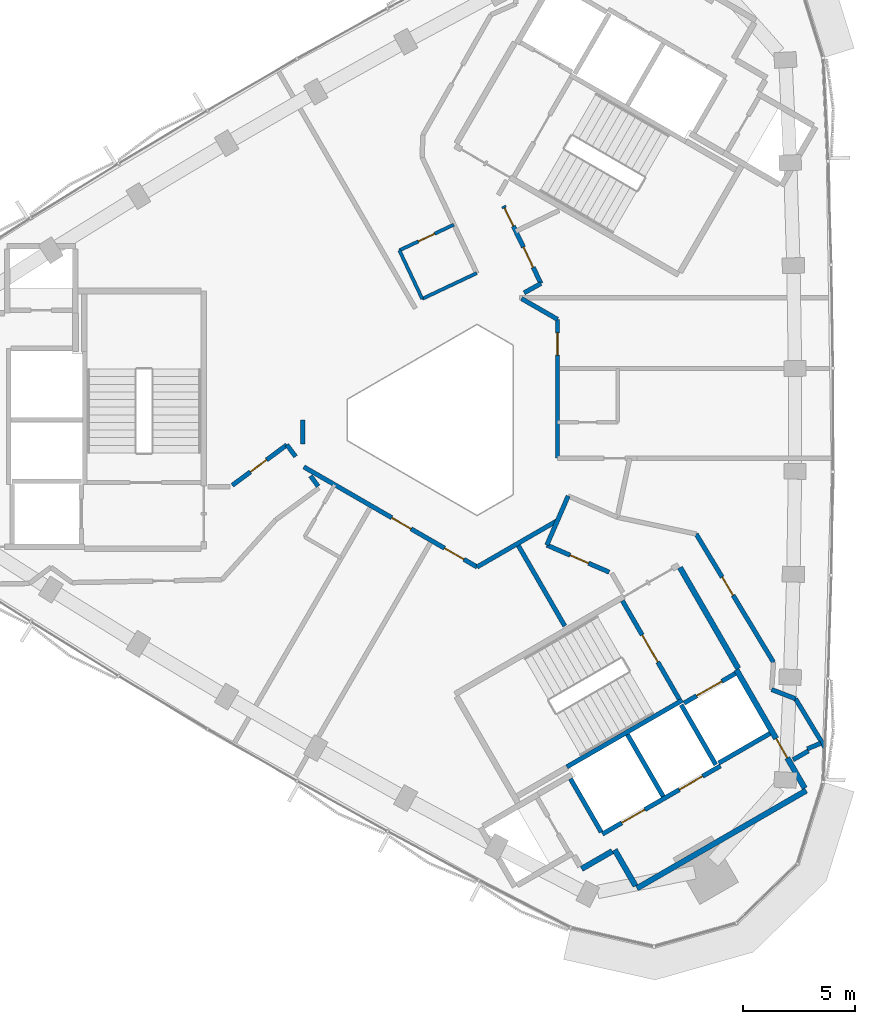
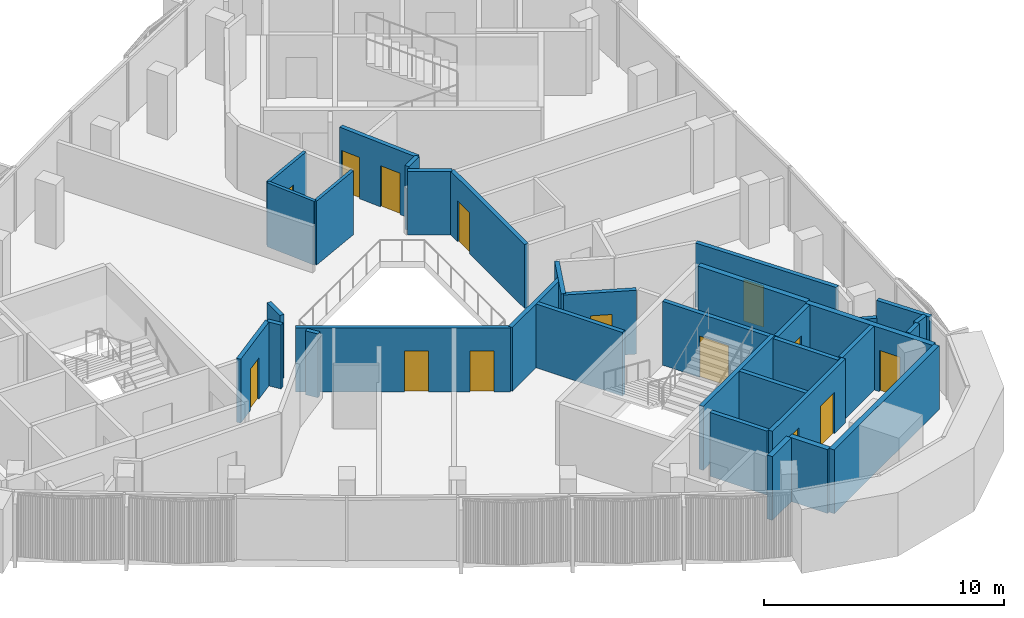
# One storey, part 7 of 12: 34 walls, 14 doors, 14 openings.
"""IFC4 building model written with IfcOpenShell, lengths in metres."""

from ifc_helpers import new_model, si_unit, direction, frame, frame_2d, origin, place, context, subcontext, project, spatial, rectangle, extrude, material, layer, layer_set, type_object, element, fill, save


model = new_model("IFC4")

# Units and contexts
model_context = context("Model", 3, precision=1e-05, world=origin(), true_north=direction((0.0, 1.0)))
body_context = subcontext(model_context, "Body", "Model", "MODEL_VIEW")
ifc_project = project(units=[si_unit("LENGTHUNIT", "METRE"), si_unit("AREAUNIT", "SQUARE_METRE"), si_unit("VOLUMEUNIT", "CUBIC_METRE"), si_unit("PLANEANGLEUNIT", "RADIAN"), si_unit("MASSUNIT", "GRAM", prefix="KILO")], contexts=[model_context])

# Site, building, storey
site_placement = place(None, origin())
site = spatial("IfcSite", under=ifc_project, at=site_placement, CompositionType="ELEMENT")
building_placement = place(site_placement, origin())
building = spatial("IfcBuilding", under=site, at=building_placement, Name="Tamra Quay Hotel Tower", CompositionType="ELEMENT")
storey_placement = place(building_placement, frame((0.0, 0.0, 269.39990234375)))
storey = spatial("IfcBuildingStorey", under=building, at=storey_placement, Name="L68", CompositionType="ELEMENT", Elevation=269.39990234375)

# Wall
ifc_material_1 = material(Name="Concrete M70", Category="concrete")
ifc_layer_1 = layer(ifc_material_1, 0.199951171875)
ifc_layer_set_1 = layer_set([ifc_layer_1], Name="Concrete M70 core wall 200")
wall_type_1 = type_object("IfcWallType", Name="Concrete M70 core wall 200", PredefinedType="SHEAR", material=ifc_layer_set_1)
wall_1_placement = place(storey_placement, frame((5.4189453125, -15.533935546875, 0.0), z_axis=(0.0, 0.0, 1.0), x_axis=(0.866029065029, 0.499993658486, 0.0)))
element("IfcWall", 1, at=wall_1_placement, inside=storey, type_object=wall_type_1, Name="CW2", PredefinedType="SHEAR", context=body_context, shape_type="SweptSolid", body=[
    extrude(rectangle(XDim=5.97412109375, YDim=0.199951171875, at=frame_2d((2.987060546875, 0.0))), origin(), (0.0, 0.0, 1.0), 3.25),
])

# Wall, openings, doors
wall_2_placement = place(storey_placement, frame((7.009765625, -18.54150390625, 0.0), z_axis=(0.0, 0.0, 1.0), x_axis=(0.866030299012, 0.499991521122, 0.0)))
wall_2 = element("IfcWall", 2, at=wall_2_placement, inside=storey, type_object=wall_type_1, Name="CW2", PredefinedType="SHEAR", context=body_context, shape_type="SweptSolid", body=[
    extrude(rectangle(XDim=6.10009765625, YDim=0.199951171875, at=frame_2d((3.050048828125, 0.0))), origin(), (0.0, 0.0, 1.0), 3.25),
])
opening_1_placement = place(wall_2_placement, frame((1.0, 0.0, 0.0)))
opening_1 = element("IfcOpeningElement", 3, at=opening_1_placement, cuts=wall_2, Name="Opening LD", PredefinedType="OPENING", context=body_context, shape_type="SweptSolid", body=[
    extrude(rectangle(XDim=1.199951171875, YDim=2.10009765625, at=frame_2d((0.60009765625, 1.050048828125))), frame((0.0, 0.10986328125, 0.0), z_axis=(0.0, -1.0, 0.0), x_axis=(1.0, 0.0, 0.0)), (0.0, 0.0, 1.0), 0.219970703125),
])
opening_2_placement = place(wall_2_placement, frame((3.982177734375, 0.0, 0.0)))
opening_2 = element("IfcOpeningElement", 4, at=opening_2_placement, cuts=wall_2, Name="Opening LD", PredefinedType="OPENING", context=body_context, shape_type="SweptSolid", body=[
    extrude(rectangle(XDim=1.199951171875, YDim=2.10009765625, at=frame_2d((0.60009765625, 1.050048828125))), frame((0.0, 0.10986328125, 0.0), z_axis=(0.0, -1.0, 0.0), x_axis=(1.0, 0.0, 0.0)), (0.0, 0.0, 1.0), 0.219970703125),
])
ifc_material_2 = material(Name="Landing door LD 1200 double door sliding")
door_type_1 = type_object("IfcDoorType", Name="Landing door LD 1200 double door sliding", OperationType="DOUBLE_DOOR_SLIDING", PredefinedType="DOOR", material=ifc_material_2)
door_1_placement = place(opening_1_placement, origin())
door_1 = element("IfcDoor", 5, at=door_1_placement, inside=storey, type_object=door_type_1, Name="LD", OperationType="DOUBLE_DOOR_SLIDING", OverallHeight=2.10009765625, OverallWidth=1.199951171875, PredefinedType="DOOR", context=body_context, shape_type="SweptSolid", body=[
    extrude(rectangle(XDim=1.199951171875, YDim=2.10009765625, at=frame_2d((0.60009765625, 1.050048828125))), frame((0.0, 0.02490234375, 0.0), z_axis=(0.0, -1.0, 0.0), x_axis=(1.0, 0.0, 0.0)), (0.0, 0.0, 1.0), 0.050048828125),
])
fill(opening_1, door_1)
door_2_placement = place(opening_2_placement, origin())
door_2 = element("IfcDoor", 6, at=door_2_placement, inside=storey, type_object=door_type_1, Name="LD", OperationType="DOUBLE_DOOR_SLIDING", OverallHeight=2.10009765625, OverallWidth=1.199951171875, PredefinedType="DOOR", context=body_context, shape_type="SweptSolid", body=[
    extrude(rectangle(XDim=1.199951171875, YDim=2.10009765625, at=frame_2d((0.60009765625, 1.050048828125))), frame((0.0, 0.02490234375, 0.0), z_axis=(0.0, -1.0, 0.0), x_axis=(1.0, 0.0, 0.0)), (0.0, 0.0, 1.0), 0.050048828125),
])
fill(opening_2, door_2)

# Wall, opening, door
wall_3_placement = place(storey_placement, frame((7.906494140625, -8.094482421875, 0.0), z_axis=(0.0, 0.0, 1.0), x_axis=(0.500027839223, -0.866009330205, 0.0)))
wall_3 = element("IfcWall", 7, at=wall_3_placement, inside=storey, type_object=wall_type_1, Name="CW2", PredefinedType="SHEAR", context=body_context, shape_type="SweptSolid", body=[
    extrude(rectangle(XDim=5.097900390625, YDim=0.199951171875, at=frame_2d((2.548828125, 0.0))), origin(), (0.0, 0.0, 1.0), 3.25),
])
opening_3_placement = place(wall_3_placement, frame((1.77392578125, 0.0, 0.0)))
opening_3 = element("IfcOpeningElement", 8, at=opening_3_placement, cuts=wall_3, Name="Opening FD2", PredefinedType="OPENING", context=body_context, shape_type="SweptSolid", body=[
    extrude(rectangle(XDim=1.39990234375, YDim=2.10009765625, at=frame_2d((0.699951171875, 1.050048828125))), frame((0.0, 0.10986328125, 0.0), z_axis=(0.0, -1.0, 0.0), x_axis=(1.0, 0.0, 0.0)), (0.0, 0.0, 1.0), 0.219970703125),
])
ifc_material_3 = material(Name="Core door FD2 1400x2100 RH")
door_type_2 = type_object("IfcDoorType", Name="Core door FD2 1400x2100 RH", OperationType="NOTDEFINED", PredefinedType="DOOR", material=ifc_material_3)
door_3_placement = place(opening_3_placement, origin())
door_3 = element("IfcDoor", 9, at=door_3_placement, inside=storey, type_object=door_type_2, Name="FD2", OperationType="SINGLE_SWING_RIGHT", OverallHeight=2.10009765625, OverallWidth=1.39990234375, PredefinedType="DOOR", context=body_context, shape_type="SweptSolid", body=[
    extrude(rectangle(XDim=1.39990234375, YDim=2.10009765625, at=frame_2d((0.699951171875, 1.050048828125))), frame((0.0, 0.02490234375, 0.0), z_axis=(0.0, -1.0, 0.0), x_axis=(1.0, 0.0, 0.0)), (0.0, 0.0, 1.0), 0.050048828125),
])
fill(opening_3, door_3)

# Walls
wall_4_placement = place(storey_placement, frame((8.131591796875, -14.084228515625, 0.0), z_axis=(0.0, 0.0, 1.0), x_axis=(0.499997778408, -0.866026686418, 0.0)))
element("IfcWall", 10, at=wall_4_placement, inside=storey, type_object=wall_type_1, Name="CW2", PredefinedType="SHEAR", context=body_context, shape_type="SweptSolid", body=[
    extrude(rectangle(XDim=3.1982421875, YDim=0.199951171875, at=frame_2d((1.59912109375, 0.0))), origin(), (0.0, 0.0, 1.0), 3.25),
])
wall_5_placement = place(storey_placement, frame((6.959716796875, -18.455078125, 0.0), z_axis=(0.0, 0.0, 1.0), x_axis=(-0.499926705758, 0.866067716099, 0.0)))
element("IfcWall", 11, at=wall_5_placement, inside=storey, type_object=wall_type_1, Name="CW2", PredefinedType="SHEAR", context=body_context, shape_type="SweptSolid", body=[
    extrude(rectangle(XDim=2.75927734375, YDim=0.199951171875, at=frame_2d((1.379638671875, 0.0))), origin(), (0.0, 0.0, 1.0), 3.25),
])
wall_6_placement = place(storey_placement, frame((12.087646484375, -15.4365234375, 0.0), z_axis=(0.0, 0.0, 1.0), x_axis=(-0.500026960575, 0.86600983753, 0.0)))
element("IfcWall", 12, at=wall_6_placement, inside=storey, type_object=wall_type_1, Name="CW2", PredefinedType="SHEAR", context=body_context, shape_type="SweptSolid", body=[
    extrude(rectangle(XDim=3.099853515625, YDim=0.199951171875, at=frame_2d((1.5498046875, 0.0))), origin(), (0.0, 0.0, 1.0), 3.25),
])

# Wall, opening, door
wall_7_placement = place(storey_placement, frame((10.666015625, -12.677734375, 0.0), z_axis=(0.0, 0.0, 1.0), x_axis=(0.866018407898, 0.500012117035, 0.0)))
wall_7 = element("IfcWall", 13, at=wall_7_placement, inside=storey, type_object=wall_type_1, Name="CW2", PredefinedType="SHEAR", context=body_context, shape_type="SweptSolid", body=[
    extrude(rectangle(XDim=2.65087890625, YDim=0.199951171875, at=frame_2d((1.325439453125, 0.0))), origin(), (0.0, 0.0, 1.0), 3.25),
])
opening_4_placement = place(wall_7_placement, frame((0.65185546875, 0.0, 0.0)))
opening_4 = element("IfcOpeningElement", 14, at=opening_4_placement, cuts=wall_7, Name="Opening LD", PredefinedType="OPENING", context=body_context, shape_type="SweptSolid", body=[
    extrude(rectangle(XDim=1.300048828125, YDim=2.10009765625, at=frame_2d((0.64990234375, 1.050048828125))), frame((0.0, 0.10986328125, 0.0), z_axis=(0.0, -1.0, 0.0), x_axis=(1.0, 0.0, 0.0)), (0.0, 0.0, 1.0), 0.219970703125),
])
ifc_material_4 = material(Name="Landing door LD 1300 sliding to right")
door_type_3 = type_object("IfcDoorType", Name="Landing door LD 1300 sliding to right", OperationType="NOTDEFINED", PredefinedType="DOOR", material=ifc_material_4)
door_4_placement = place(opening_4_placement, origin())
door_4 = element("IfcDoor", 15, at=door_4_placement, inside=storey, type_object=door_type_3, Name="LD", OperationType="SLIDING_TO_RIGHT", OverallHeight=2.10009765625, OverallWidth=1.300048828125, PredefinedType="DOOR", context=body_context, shape_type="SweptSolid", body=[
    extrude(rectangle(XDim=1.300048828125, YDim=2.10009765625, at=frame_2d((0.64990234375, 1.050048828125))), frame((0.0, 0.02490234375, 0.0), z_axis=(0.0, -1.0, 0.0), x_axis=(1.0, 0.0, 0.0)), (0.0, 0.0, 1.0), 0.050048828125),
])
fill(opening_4, door_4)

# Walls
wall_8_placement = place(storey_placement, frame((14.51171875, -14.037109375, 0.0), z_axis=(0.0, 0.0, 1.0), x_axis=(-0.866018407898, -0.500012117035, 0.0)))
element("IfcWall", 16, at=wall_8_placement, inside=storey, type_object=wall_type_1, Name="CW2", PredefinedType="SHEAR", context=body_context, shape_type="SweptSolid", body=[
    extrude(rectangle(XDim=2.65087890625, YDim=0.199951171875, at=frame_2d((1.325439453125, 0.0))), origin(), (0.0, 0.0, 1.0), 3.25),
])
ifc_layer_2 = layer(ifc_material_1, 0.25)
ifc_layer_set_2 = layer_set([ifc_layer_2], Name="Concrete M70 core wall 250")
wall_type_2 = type_object("IfcWallType", Name="Concrete M70 core wall 250", PredefinedType="SHEAR", material=ifc_layer_set_2)
wall_9_placement = place(storey_placement, frame((16.13330078125, -16.59375, 0.0), z_axis=(0.0, 0.0, 1.0), x_axis=(-0.866022959057, -0.500004234368, 0.0)))
element("IfcWall", 17, at=wall_9_placement, inside=storey, type_object=wall_type_2, Name="CW1", PredefinedType="SHEAR", context=body_context, shape_type="SweptSolid", body=[
    extrude(rectangle(XDim=8.75, YDim=0.25, at=frame_2d((4.375, 0.0))), origin(), (0.0, 0.0, 1.0), 3.25),
])

# Wall, opening, door
wall_10_placement = place(storey_placement, frame((13.00830078125, -11.18115234375, 0.0), z_axis=(0.0, 0.0, 1.0), x_axis=(0.500001955336, -0.866024274868, 0.0)))
wall_10 = element("IfcWall", 18, at=wall_10_placement, inside=storey, type_object=wall_type_2, Name="CW1", PredefinedType="SHEAR", context=body_context, shape_type="SweptSolid", body=[
    extrude(rectangle(XDim=6.12451171875, YDim=0.25, at=frame_2d((3.062255859375, 0.0))), origin(), (0.0, 0.0, 1.0), 3.25),
])
opening_5_placement = place(wall_10_placement, frame((3.562744140625, 0.0, 0.0)))
opening_5 = element("IfcOpeningElement", 19, at=opening_5_placement, cuts=wall_10, Name="Opening FD3", PredefinedType="OPENING", context=body_context, shape_type="SweptSolid", body=[
    extrude(rectangle(XDim=1.0, YDim=2.10009765625, at=frame_2d((0.5, 1.050048828125))), frame((0.0, 0.135009765625, 0.0), z_axis=(0.0, -1.0, 0.0), x_axis=(1.0, 0.0, 0.0)), (0.0, 0.0, 1.0), 0.27001953125),
])
ifc_material_5 = material(Name="Core door FD3 1000x2100 LH")
door_type_4 = type_object("IfcDoorType", Name="Core door FD3 1000x2100 LH", OperationType="NOTDEFINED", PredefinedType="DOOR", material=ifc_material_5)
door_5_placement = place(opening_5_placement, origin())
door_5 = element("IfcDoor", 20, at=door_5_placement, inside=storey, type_object=door_type_4, Name="FD3", OperationType="SINGLE_SWING_LEFT", OverallHeight=2.10009765625, OverallWidth=1.0, PredefinedType="DOOR", context=body_context, shape_type="SweptSolid", body=[
    extrude(rectangle(XDim=1.0, YDim=2.10009765625, at=frame_2d((0.5, 1.050048828125))), frame((0.0, 0.02490234375, 0.0), z_axis=(0.0, -1.0, 0.0), x_axis=(1.0, 0.0, 0.0)), (0.0, 0.0, 1.0), 0.050048828125),
])
fill(opening_5, door_5)

# Walls
wall_11_placement = place(storey_placement, frame((10.482666015625, -6.6064453125, 0.0), z_axis=(0.0, 0.0, 1.0), x_axis=(0.49999885962, -0.866026062182, 0.0)))
element("IfcWall", 21, at=wall_11_placement, inside=storey, type_object=wall_type_2, Name="CW1", PredefinedType="SHEAR", context=body_context, shape_type="SweptSolid", body=[
    extrude(rectangle(XDim=5.224609375, YDim=0.25, at=frame_2d((2.6123046875, 0.0))), origin(), (0.0, 0.0, 1.0), 3.25),
])
wall_12_placement = place(storey_placement, frame((8.492919921875, -20.860107421875, 0.0), z_axis=(0.0, 0.0, 1.0), x_axis=(-0.500039802285, 0.866002422705, 0.0)))
element("IfcWall", 22, at=wall_12_placement, inside=storey, type_object=wall_type_2, Name="CW1", PredefinedType="SHEAR", context=body_context, shape_type="SweptSolid", body=[
    extrude(rectangle(XDim=1.864501953125, YDim=0.25, at=frame_2d((0.93212890625, 0.0))), origin(), (0.0, 0.0, 1.0), 3.25),
])
wall_13_placement = place(storey_placement, frame((7.451904296875, -19.30810546875, 0.0), z_axis=(0.0, 0.0, 1.0), x_axis=(-0.866044474677, -0.49996696679, 0.0)))
element("IfcWall", 23, at=wall_13_placement, inside=storey, type_object=wall_type_2, Name="CW1", PredefinedType="SHEAR", context=body_context, shape_type="SweptSolid", body=[
    extrude(rectangle(XDim=1.58447265625, YDim=0.25, at=frame_2d((0.792236328125, 0.0))), origin(), (0.0, 0.0, 1.0), 3.25),
])

# Wall, opening, door
ifc_material_6 = material(Name="Partition corridor wall")
ifc_layer_3 = layer(ifc_material_6, 0.199951171875)
ifc_layer_set_3 = layer_set([ifc_layer_3], Name="Partition corridor wall")
wall_type_3 = type_object("IfcWallType", Name="Partition corridor wall", PredefinedType="PARTITIONING", material=ifc_layer_set_3)
wall_14_placement = place(storey_placement, frame((-7.114990234375, -1.114990234375, 0.0), z_axis=(0.0, 0.0, 1.0), x_axis=(-0.803344165632, -0.595515030495, 0.0)))
wall_14 = element("IfcWall", 24, at=wall_14_placement, inside=storey, type_object=wall_type_3, Name="W-C", PredefinedType="PARTITIONING", context=body_context, shape_type="SweptSolid", body=[
    extrude(rectangle(XDim=3.046142578125, YDim=0.199951171875, at=frame_2d((1.52294921875, 0.0))), origin(), (0.0, 0.0, 1.0), 3.25),
])
opening_6_placement = place(wall_14_placement, frame((1.1328125, 0.0, 0.0)))
opening_6 = element("IfcOpeningElement", 25, at=opening_6_placement, cuts=wall_14, Name="Opening L68-D010", PredefinedType="OPENING", context=body_context, shape_type="SweptSolid", body=[
    extrude(rectangle(XDim=0.89990234375, YDim=2.10009765625, at=frame_2d((0.449951171875, 1.050048828125))), frame((0.0, 0.10986328125, 0.0), z_axis=(0.0, -1.0, 0.0), x_axis=(1.0, 0.0, 0.0)), (0.0, 0.0, 1.0), 0.219970703125),
])
ifc_material_7 = material(Name="Door service room 900x2100")
door_type_5 = type_object("IfcDoorType", Name="Door service room 900x2100", OperationType="NOTDEFINED", PredefinedType="DOOR", material=ifc_material_7)
door_6_placement = place(opening_6_placement, origin())
door_6 = element("IfcDoor", 26, at=door_6_placement, inside=storey, type_object=door_type_5, Name="L68-D010", OperationType="SINGLE_SWING_LEFT", OverallHeight=2.10009765625, OverallWidth=0.89990234375, PredefinedType="DOOR", context=body_context, shape_type="SweptSolid", body=[
    extrude(rectangle(XDim=0.89990234375, YDim=2.10009765625, at=frame_2d((0.449951171875, 1.050048828125))), frame((0.0, 0.02490234375, 0.0), z_axis=(0.0, -1.0, 0.0), x_axis=(1.0, 0.0, 0.0)), (0.0, 0.0, 1.0), 0.050048828125),
])
fill(opening_6, door_6)

# Walls
wall_15_placement = place(storey_placement, frame((-7.114013671875, -1.114990234375, 0.0), z_axis=(0.0, 0.0, 1.0), x_axis=(0.595075286625, -0.803669959155, 0.0)))
element("IfcWall", 27, at=wall_15_placement, inside=storey, type_object=wall_type_3, Name="W-C", PredefinedType="PARTITIONING", context=body_context, shape_type="SweptSolid", body=[
    extrude(rectangle(XDim=0.65185546875, YDim=0.199951171875, at=frame_2d((0.325927734375, 0.0))), origin(), (0.0, 0.0, 1.0), 3.25),
])
wall_16_placement = place(storey_placement, frame((-6.39990234375, -1.073974609375, 0.0), z_axis=(0.0, 0.0, 1.0), x_axis=(0.0, 1.0, 0.0)))
element("IfcWall", 28, at=wall_16_placement, inside=storey, type_object=wall_type_3, Name="W-C", PredefinedType="PARTITIONING", context=body_context, shape_type="SweptSolid", body=[
    extrude(rectangle(XDim=1.073974609375, YDim=0.199951171875, at=frame_2d((0.537109375, 0.0))), origin(), (0.0, 0.0, 1.0), 3.25),
])
wall_17_placement = place(storey_placement, frame((-6.05712890625, -2.506591796875, 0.0), z_axis=(0.0, 0.0, 1.0), x_axis=(0.594974339713, -0.803744695213, 0.0)))
element("IfcWall", 29, at=wall_17_placement, inside=storey, type_object=wall_type_3, Name="W-C", PredefinedType="PARTITIONING", context=body_context, shape_type="SweptSolid", body=[
    extrude(rectangle(XDim=0.576416015625, YDim=0.199951171875, at=frame_2d((0.2880859375, 0.0))), origin(), (0.0, 0.0, 1.0), 3.25),
])

# Wall, openings, doors
wall_18_placement = place(storey_placement, frame((-6.35595703125, -2.10302734375, 0.0), z_axis=(0.0, 0.0, 1.0), x_axis=(0.865939059902, -0.50014952218, 0.0)))
wall_18 = element("IfcWall", 30, at=wall_18_placement, inside=storey, type_object=wall_type_3, Name="W-C", PredefinedType="PARTITIONING", context=body_context, shape_type="SweptSolid", body=[
    extrude(rectangle(XDim=8.956298828125, YDim=0.199951171875, at=frame_2d((4.47802734375, 0.0))), origin(), (0.0, 0.0, 1.0), 3.25),
])
opening_7_placement = place(wall_18_placement, frame((4.54638671875, 0.0, 0.0)))
opening_7 = element("IfcOpeningElement", 31, at=opening_7_placement, cuts=wall_18, Name="Opening L68-D013", PredefinedType="OPENING", context=body_context, shape_type="SweptSolid", body=[
    extrude(rectangle(XDim=1.0, YDim=2.10009765625, at=frame_2d((0.5, 1.050048828125))), frame((0.0, 0.10986328125, 0.0), z_axis=(0.0, -1.0, 0.0), x_axis=(1.0, 0.0, 0.0)), (0.0, 0.0, 1.0), 0.219970703125),
])
opening_8_placement = place(wall_18_placement, frame((7.275146484375, 0.0, 0.0)))
opening_8 = element("IfcOpeningElement", 32, at=opening_8_placement, cuts=wall_18, Name="Opening L68-D014", PredefinedType="OPENING", context=body_context, shape_type="SweptSolid", body=[
    extrude(rectangle(XDim=1.0, YDim=2.10009765625, at=frame_2d((0.5, 1.050048828125))), frame((0.0, 0.10986328125, 0.0), z_axis=(0.0, -1.0, 0.0), x_axis=(1.0, 0.0, 0.0)), (0.0, 0.0, 1.0), 0.219970703125),
])
ifc_material_8 = material(Name="Door guest room 1000x2100")
door_type_6 = type_object("IfcDoorType", Name="Door guest room 1000x2100", OperationType="NOTDEFINED", PredefinedType="DOOR", material=ifc_material_8)
door_7_placement = place(opening_7_placement, frame((1.0, 0.0, 0.0), z_axis=(0.0, 0.0, 1.0), x_axis=(-1.0, 0.0, 0.0)))
door_7 = element("IfcDoor", 33, at=door_7_placement, inside=storey, type_object=door_type_6, Name="L68-D013", OperationType="SINGLE_SWING_LEFT", OverallHeight=2.10009765625, OverallWidth=1.0, PredefinedType="DOOR", context=body_context, shape_type="SweptSolid", body=[
    extrude(rectangle(XDim=1.0, YDim=2.10009765625, at=frame_2d((0.5, 1.050048828125))), frame((0.0, 0.02490234375, 0.0), z_axis=(0.0, -1.0, 0.0), x_axis=(1.0, 0.0, 0.0)), (0.0, 0.0, 1.0), 0.050048828125),
])
fill(opening_7, door_7)
door_8_placement = place(opening_8_placement, frame((1.0, 0.0, 0.0), z_axis=(0.0, 0.0, 1.0), x_axis=(-1.0, 0.0, 0.0)))
door_8 = element("IfcDoor", 34, at=door_8_placement, inside=storey, type_object=door_type_6, Name="L68-D014", OperationType="SINGLE_SWING_LEFT", OverallHeight=2.10009765625, OverallWidth=1.0, PredefinedType="DOOR", context=body_context, shape_type="SweptSolid", body=[
    extrude(rectangle(XDim=1.0, YDim=2.10009765625, at=frame_2d((0.5, 1.050048828125))), frame((0.0, 0.02490234375, 0.0), z_axis=(0.0, -1.0, 0.0), x_axis=(1.0, 0.0, 0.0)), (0.0, 0.0, 1.0), 0.050048828125),
])
fill(opening_8, door_8)

# Wall
wall_19_placement = place(storey_placement, frame((1.400634765625, -6.5830078125, 0.0), z_axis=(0.0, 0.0, 1.0), x_axis=(0.865818713766, 0.500357826853, 0.0)))
element("IfcWall", 35, at=wall_19_placement, inside=storey, type_object=wall_type_3, Name="W-C", PredefinedType="PARTITIONING", context=body_context, shape_type="SweptSolid", body=[
    extrude(rectangle(XDim=4.1572265625, YDim=0.199951171875, at=frame_2d((2.07861328125, 0.0))), origin(), (0.0, 0.0, 1.0), 3.25),
])

# Wall, openings, doors
wall_20_placement = place(storey_placement, frame((4.259521484375, 6.109130859375, 0.0), z_axis=(0.0, 0.0, 1.0), x_axis=(-0.434189007872, 0.900821794498, 0.0)))
wall_20 = element("IfcWall", 36, at=wall_20_placement, inside=storey, type_object=wall_type_3, Name="W-C", PredefinedType="PARTITIONING", context=body_context, shape_type="SweptSolid", body=[
    extrude(rectangle(XDim=3.852783203125, YDim=0.199951171875, at=frame_2d((1.92626953125, 0.0))), origin(), (0.0, 0.0, 1.0), 3.25),
])
opening_9_placement = place(wall_20_placement, frame((2.852783203125, 0.0, 0.0)))
opening_9 = element("IfcOpeningElement", 37, at=opening_9_placement, cuts=wall_20, Name="Opening L68-D005", PredefinedType="OPENING", context=body_context, shape_type="SweptSolid", body=[
    extrude(rectangle(XDim=0.89990234375, YDim=2.10009765625, at=frame_2d((0.449951171875, 1.050048828125))), frame((0.0, 0.10986328125, 0.0), z_axis=(0.0, -1.0, 0.0), x_axis=(1.0, 0.0, 0.0)), (0.0, 0.0, 1.0), 0.219970703125),
])
opening_10_placement = place(wall_20_placement, frame((0.8037109375, 0.0, 0.0)))
opening_10 = element("IfcOpeningElement", 38, at=opening_10_placement, cuts=wall_20, Name="Opening L68-D006", PredefinedType="OPENING", context=body_context, shape_type="SweptSolid", body=[
    extrude(rectangle(XDim=1.0, YDim=2.10009765625, at=frame_2d((0.5, 1.050048828125))), frame((0.0, 0.10986328125, 0.0), z_axis=(0.0, -1.0, 0.0), x_axis=(1.0, 0.0, 0.0)), (0.0, 0.0, 1.0), 0.219970703125),
])
door_9_placement = place(opening_10_placement, origin())
door_9 = element("IfcDoor", 39, at=door_9_placement, inside=storey, type_object=door_type_6, Name="L68-D006", OperationType="SINGLE_SWING_LEFT", OverallHeight=2.10009765625, OverallWidth=1.0, PredefinedType="DOOR", context=body_context, shape_type="SweptSolid", body=[
    extrude(rectangle(XDim=1.0, YDim=2.10009765625, at=frame_2d((0.5, 1.050048828125))), frame((0.0, 0.02490234375, 0.0), z_axis=(0.0, -1.0, 0.0), x_axis=(1.0, 0.0, 0.0)), (0.0, 0.0, 1.0), 0.050048828125),
])
fill(opening_10, door_9)
door_10_placement = place(opening_9_placement, origin())
door_10 = element("IfcDoor", 40, at=door_10_placement, inside=storey, type_object=door_type_5, Name="L68-D005", OperationType="SINGLE_SWING_LEFT", OverallHeight=2.10009765625, OverallWidth=0.89990234375, PredefinedType="DOOR", context=body_context, shape_type="SweptSolid", body=[
    extrude(rectangle(XDim=0.89990234375, YDim=2.10009765625, at=frame_2d((0.449951171875, 1.050048828125))), frame((0.0, 0.02490234375, 0.0), z_axis=(0.0, -1.0, 0.0), x_axis=(1.0, 0.0, 0.0)), (0.0, 0.0, 1.0), 0.050048828125),
])
fill(opening_9, door_10)

# Walls
wall_21_placement = place(storey_placement, frame((3.389892578125, 5.43310546875, 0.0), z_axis=(0.0, 0.0, 1.0), x_axis=(0.866117799835, -0.499839931186, 0.0)))
element("IfcWall", 41, at=wall_21_placement, inside=storey, type_object=wall_type_3, Name="W-C", PredefinedType="PARTITIONING", context=body_context, shape_type="SweptSolid", body=[
    extrude(rectangle(XDim=1.85888671875, YDim=0.199951171875, at=frame_2d((0.929443359375, 0.0))), origin(), (0.0, 0.0, 1.0), 3.25),
])
wall_22_placement = place(storey_placement, frame((3.507080078125, 5.68994140625, 0.0), z_axis=(0.0, 0.0, 1.0), x_axis=(0.873567976284, 0.486702158215, 0.0)))
element("IfcWall", 42, at=wall_22_placement, inside=storey, type_object=wall_type_3, Name="W-C", PredefinedType="PARTITIONING", context=body_context, shape_type="SweptSolid", body=[
    extrude(rectangle(XDim=0.86083984375, YDim=0.199951171875, at=frame_2d((0.430419921875, 0.0))), origin(), (0.0, 0.0, 1.0), 3.25),
])
wall_23_placement = place(storey_placement, frame((4.52294921875, -5.60400390625, 0.0), z_axis=(0.0, 0.0, 1.0), x_axis=(0.398033282066, 0.917370975324, 0.0)))
element("IfcWall", 43, at=wall_23_placement, inside=storey, type_object=wall_type_3, Name="W-C", PredefinedType="PARTITIONING", context=body_context, shape_type="SweptSolid", body=[
    extrude(rectangle(XDim=2.39697265625, YDim=0.199951171875, at=frame_2d((1.198486328125, 0.0))), origin(), (0.0, 0.0, 1.0), 3.25),
])

# Wall, opening, door
wall_24_placement = place(storey_placement, frame((4.52294921875, -5.60400390625, 0.0), z_axis=(0.0, 0.0, 1.0), x_axis=(0.917390838441, -0.397987499231, 0.0)))
wall_24 = element("IfcWall", 44, at=wall_24_placement, inside=storey, type_object=wall_type_3, Name="W-C", PredefinedType="PARTITIONING", context=body_context, shape_type="SweptSolid", body=[
    extrude(rectangle(XDim=3.04638671875, YDim=0.199951171875, at=frame_2d((1.523193359375, 0.0))), origin(), (0.0, 0.0, 1.0), 3.25),
])
opening_11_placement = place(wall_24_placement, frame((1.1328125, 0.0, 0.0)))
opening_11 = element("IfcOpeningElement", 45, at=opening_11_placement, cuts=wall_24, Name="Opening L68-D001", PredefinedType="OPENING", context=body_context, shape_type="SweptSolid", body=[
    extrude(rectangle(XDim=0.89990234375, YDim=2.10009765625, at=frame_2d((0.449951171875, 1.050048828125))), frame((0.0, 0.10986328125, 0.0), z_axis=(0.0, -1.0, 0.0), x_axis=(1.0, 0.0, 0.0)), (0.0, 0.0, 1.0), 0.219970703125),
])
door_11_placement = place(opening_11_placement, frame((0.89990234375, 0.0, 0.0), z_axis=(0.0, 0.0, 1.0), x_axis=(-1.0, 0.0, 0.0)))
door_11 = element("IfcDoor", 46, at=door_11_placement, inside=storey, type_object=door_type_5, Name="L68-D001", OperationType="SINGLE_SWING_LEFT", OverallHeight=2.10009765625, OverallWidth=0.89990234375, PredefinedType="DOOR", context=body_context, shape_type="SweptSolid", body=[
    extrude(rectangle(XDim=0.89990234375, YDim=2.10009765625, at=frame_2d((0.449951171875, 1.050048828125))), frame((0.0, 0.02490234375, 0.0), z_axis=(0.0, -1.0, 0.0), x_axis=(1.0, 0.0, 0.0)), (0.0, 0.0, 1.0), 0.050048828125),
])
fill(opening_11, door_11)

wall_25_placement = place(storey_placement, frame((5.0, -1.70703125, 0.0), z_axis=(0.0, 0.0, 1.0), x_axis=(0.0, 1.0, 0.0)))
wall_25 = element("IfcWall", 47, at=wall_25_placement, inside=storey, type_object=wall_type_3, Name="W-C", PredefinedType="PARTITIONING", context=body_context, shape_type="SweptSolid", body=[
    extrude(rectangle(XDim=6.2109375, YDim=0.199951171875, at=frame_2d((3.10546875, 0.0))), origin(), (0.0, 0.0, 1.0), 3.25),
])
opening_12_placement = place(wall_25_placement, frame((4.60498046875, 0.0, 0.0)))
opening_12 = element("IfcOpeningElement", 48, at=opening_12_placement, cuts=wall_25, Name="Opening L68-D007", PredefinedType="OPENING", context=body_context, shape_type="SweptSolid", body=[
    extrude(rectangle(XDim=1.0, YDim=2.10009765625, at=frame_2d((0.5, 1.050048828125))), frame((0.0, 0.10986328125, 0.0), z_axis=(0.0, -1.0, 0.0), x_axis=(1.0, 0.0, 0.0)), (0.0, 0.0, 1.0), 0.219970703125),
])
door_12_placement = place(opening_12_placement, frame((1.0, 0.0, 0.0), z_axis=(0.0, 0.0, 1.0), x_axis=(-1.0, 0.0, 0.0)))
door_12 = element("IfcDoor", 49, at=door_12_placement, inside=storey, type_object=door_type_6, Name="L68-D007", OperationType="SINGLE_SWING_LEFT", OverallHeight=2.10009765625, OverallWidth=1.0, PredefinedType="DOOR", context=body_context, shape_type="SweptSolid", body=[
    extrude(rectangle(XDim=1.0, YDim=2.10009765625, at=frame_2d((0.5, 1.050048828125))), frame((0.0, 0.02490234375, 0.0), z_axis=(0.0, -1.0, 0.0), x_axis=(1.0, 0.0, 0.0)), (0.0, 0.0, 1.0), 0.050048828125),
])
fill(opening_12, door_12)

wall_26_placement = place(storey_placement, frame((11.205078125, -5.10498046875, 0.0), z_axis=(0.0, 0.0, 1.0), x_axis=(0.516682442017, -0.856177116087, 0.0)))
wall_26 = element("IfcWall", 50, at=wall_26_placement, inside=storey, type_object=wall_type_3, Name="W-C", PredefinedType="PARTITIONING", context=body_context, shape_type="SweptSolid", body=[
    extrude(rectangle(XDim=6.710205078125, YDim=0.199951171875, at=frame_2d((3.35498046875, 0.0))), origin(), (0.0, 0.0, 1.0), 3.25),
])
opening_13_placement = place(wall_26_placement, frame((2.259765625, 0.0, 0.0)))
opening_13 = element("IfcOpeningElement", 51, at=opening_13_placement, cuts=wall_26, Name="Opening L68-D002", PredefinedType="OPENING", context=body_context, shape_type="SweptSolid", body=[
    extrude(rectangle(XDim=0.949951171875, YDim=2.10009765625, at=frame_2d((0.47509765625, 1.050048828125))), frame((0.0, 0.10986328125, 0.0), z_axis=(0.0, -1.0, 0.0), x_axis=(1.0, 0.0, 0.0)), (0.0, 0.0, 1.0), 0.219970703125),
])
ifc_material_9 = material(Name="Door guest room 950x2100")
door_type_7 = type_object("IfcDoorType", Name="Door guest room 950x2100", OperationType="NOTDEFINED", PredefinedType="DOOR", material=ifc_material_9)
door_13_placement = place(opening_13_placement, origin())
door_13 = element("IfcDoor", 52, at=door_13_placement, inside=storey, type_object=door_type_7, Name="L68-D002", OperationType="SINGLE_SWING_LEFT", OverallHeight=2.10009765625, OverallWidth=0.949951171875, PredefinedType="DOOR", context=body_context, shape_type="SweptSolid", body=[
    extrude(rectangle(XDim=0.949951171875, YDim=2.10009765625, at=frame_2d((0.47509765625, 1.050048828125))), frame((0.0, 0.02490234375, 0.0), z_axis=(0.0, -1.0, 0.0), x_axis=(1.0, 0.0, 0.0)), (0.0, 0.0, 1.0), 0.050048828125),
])
fill(opening_13, door_13)

# Walls
wall_27_placement = place(storey_placement, frame((14.5869140625, -12.071044921875, 0.0), z_axis=(0.0, 0.0, 1.0), x_axis=(0.933192153307, -0.359377802606, 0.0)))
element("IfcWall", 53, at=wall_27_placement, inside=storey, type_object=wall_type_3, Name="W-C", PredefinedType="PARTITIONING", context=body_context, shape_type="SweptSolid", body=[
    extrude(rectangle(XDim=1.148681640625, YDim=0.199951171875, at=frame_2d((0.57421875, 0.0))), origin(), (0.0, 0.0, 1.0), 2.35009765625),
])
wall_28_placement = place(storey_placement, frame((15.5498046875, -15.213134765625, 0.0), z_axis=(0.0, 0.0, 1.0), x_axis=(0.865989998118, 0.500061319399, 0.0)))
element("IfcWall", 54, at=wall_28_placement, inside=storey, type_object=wall_type_3, Name="W-C", PredefinedType="PARTITIONING", context=body_context, shape_type="SweptSolid", body=[
    extrude(rectangle(XDim=0.7900390625, YDim=0.199951171875, at=frame_2d((0.39501953125, 0.0))), origin(), (0.0, 0.0, 1.0), 3.25),
])
wall_29_placement = place(storey_placement, frame((15.65869140625, -12.485107421875, 0.0), z_axis=(0.0, 0.0, 1.0), x_axis=(0.516729412104, -0.856148769003, 0.0)))
element("IfcWall", 55, at=wall_29_placement, inside=storey, type_object=wall_type_3, Name="W-C", PredefinedType="PARTITIONING", context=body_context, shape_type="SweptSolid", body=[
    extrude(rectangle(XDim=2.53759765625, YDim=0.199951171875, at=frame_2d((1.268798828125, 0.0))), origin(), (0.0, 0.0, 1.0), 3.25),
])
wall_30_placement = place(storey_placement, frame((16.181884765625, -14.72802734375, 0.0), z_axis=(0.0, 0.0, 1.0), x_axis=(0.922058491377, 0.387050563207, 0.0)))
element("IfcWall", 56, at=wall_30_placement, inside=storey, type_object=wall_type_3, Name="W-C", PredefinedType="PARTITIONING", context=body_context, shape_type="SweptSolid", body=[
    extrude(rectangle(XDim=0.66162109375, YDim=0.199951171875, at=frame_2d((0.330810546875, 0.0))), origin(), (0.0, 0.0, 1.0), 3.25),
])
ifc_material_10 = material(Name="Partition en-suite wall")
ifc_layer_4 = layer(ifc_material_10, 0.14990234375)
ifc_layer_set_4 = layer_set([ifc_layer_4], Name="Partition en-suite wall")
wall_type_4 = type_object("IfcWallType", Name="Partition en-suite wall", PredefinedType="PARTITIONING", material=ifc_layer_set_4)
wall_31_placement = place(storey_placement, frame((-2.077880859375, 7.590087890625, 0.0), z_axis=(0.0, 0.0, 1.0), x_axis=(0.426709924428, -0.904388545037, 0.0)))
element("IfcWall", 57, at=wall_31_placement, inside=storey, type_object=wall_type_4, Name="W-E", PredefinedType="PARTITIONING", context=body_context, shape_type="SweptSolid", body=[
    extrude(rectangle(XDim=2.39501953125, YDim=0.14990234375, at=frame_2d((1.197509765625, 0.0))), origin(), (0.0, 0.0, 1.0), 3.25),
])

# Wall, opening, door
wall_32_placement = place(storey_placement, frame((-2.076904296875, 7.593017578125, 0.0), z_axis=(0.0, 0.0, 1.0), x_axis=(0.904196218291, 0.427117312724, 0.0)))
wall_32 = element("IfcWall", 58, at=wall_32_placement, inside=storey, type_object=wall_type_4, Name="W-E", PredefinedType="PARTITIONING", context=body_context, shape_type="SweptSolid", body=[
    extrude(rectangle(XDim=2.697265625, YDim=0.14990234375, at=frame_2d((1.3486328125, 0.0))), origin(), (0.0, 0.0, 1.0), 3.25),
])
opening_14_placement = place(wall_32_placement, frame((0.947998046875, 0.0, 0.0)))
opening_14 = element("IfcOpeningElement", 59, at=opening_14_placement, cuts=wall_32, Name="Opening L68-D009", PredefinedType="OPENING", context=body_context, shape_type="SweptSolid", body=[
    extrude(rectangle(XDim=0.800048828125, YDim=2.10009765625, at=frame_2d((0.39990234375, 1.050048828125))), frame((0.0, 0.0849609375, 0.0), z_axis=(0.0, -1.0, 0.0), x_axis=(1.0, 0.0, 0.0)), (0.0, 0.0, 1.0), 0.169921875),
])
ifc_material_11 = material(Name="Door en-suite 800x2100")
door_type_8 = type_object("IfcDoorType", Name="Door en-suite 800x2100", OperationType="NOTDEFINED", PredefinedType="DOOR", material=ifc_material_11)
door_14_placement = place(opening_14_placement, origin())
door_14 = element("IfcDoor", 60, at=door_14_placement, inside=storey, type_object=door_type_8, Name="L68-D009", OperationType="SINGLE_SWING_LEFT", OverallHeight=2.10009765625, OverallWidth=0.800048828125, PredefinedType="DOOR", context=body_context, shape_type="SweptSolid", body=[
    extrude(rectangle(XDim=0.800048828125, YDim=2.10009765625, at=frame_2d((0.39990234375, 1.050048828125))), frame((0.0, 0.02490234375, 0.0), z_axis=(0.0, -1.0, 0.0), x_axis=(1.0, 0.0, 0.0)), (0.0, 0.0, 1.0), 0.050048828125),
])
fill(opening_14, door_14)

# Walls
wall_33_placement = place(storey_placement, frame((-1.052978515625, 5.423095703125, 0.0), z_axis=(0.0, 0.0, 1.0), x_axis=(0.904370950432, 0.426747213247, 0.0)))
element("IfcWall", 61, at=wall_33_placement, inside=storey, type_object=wall_type_4, Name="W-E", PredefinedType="PARTITIONING", context=body_context, shape_type="SweptSolid", body=[
    extrude(rectangle(XDim=2.69677734375, YDim=0.14990234375, at=frame_2d((1.348388671875, 0.0))), origin(), (0.0, 0.0, 1.0), 3.25),
])
ifc_material_12 = material(Name="Partition party wall")
ifc_layer_5 = layer(ifc_material_12, 0.199951171875)
ifc_layer_set_5 = layer_set([ifc_layer_5], Name="Partition party wall")
wall_type_5 = type_object("IfcWallType", Name="Partition party wall", PredefinedType="PARTITIONING", material=ifc_layer_set_5)
wall_34_placement = place(storey_placement, frame((3.199951171875, -5.54296875, 0.0), z_axis=(0.0, 0.0, 1.0), x_axis=(0.500060428066, -0.865990512813, 0.0)))
element("IfcWall", 62, at=wall_34_placement, inside=storey, type_object=wall_type_5, Name="W-P", PredefinedType="PARTITIONING", context=body_context, shape_type="SweptSolid", body=[
    extrude(rectangle(XDim=4.251953125, YDim=0.199951171875, at=frame_2d((2.1259765625, 0.0))), origin(), (0.0, 0.0, 1.0), 3.25),
])

save(model, "model.ifc")
